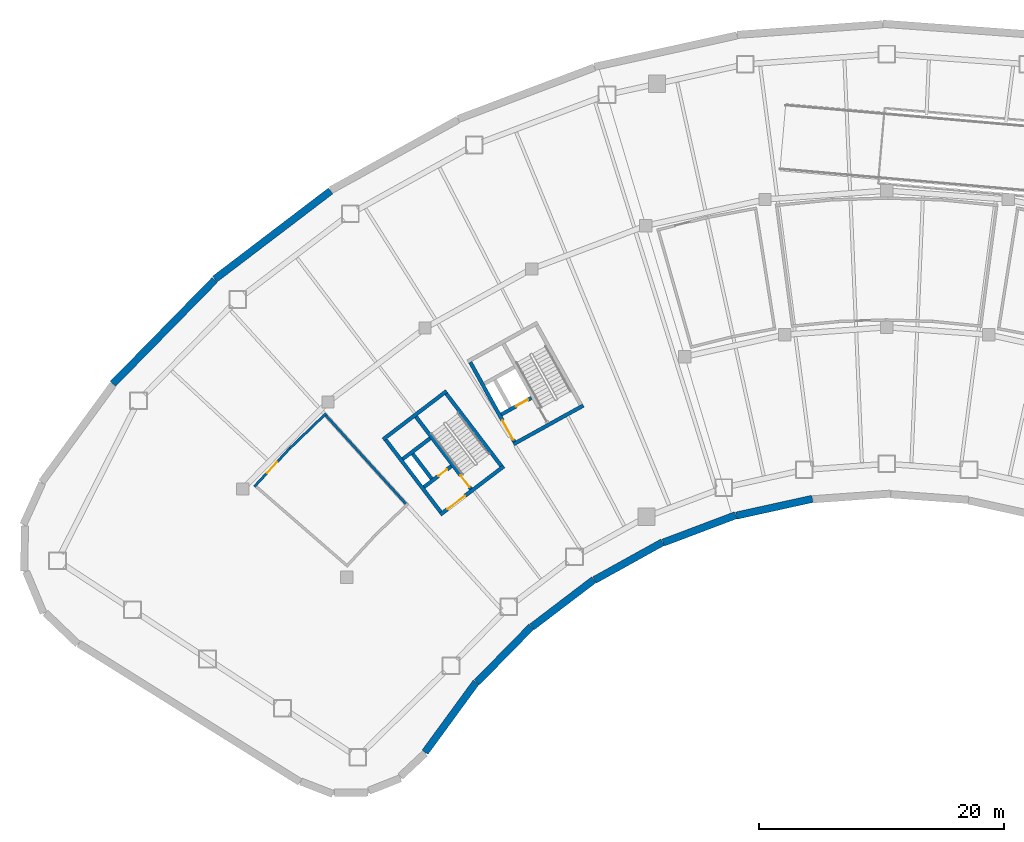
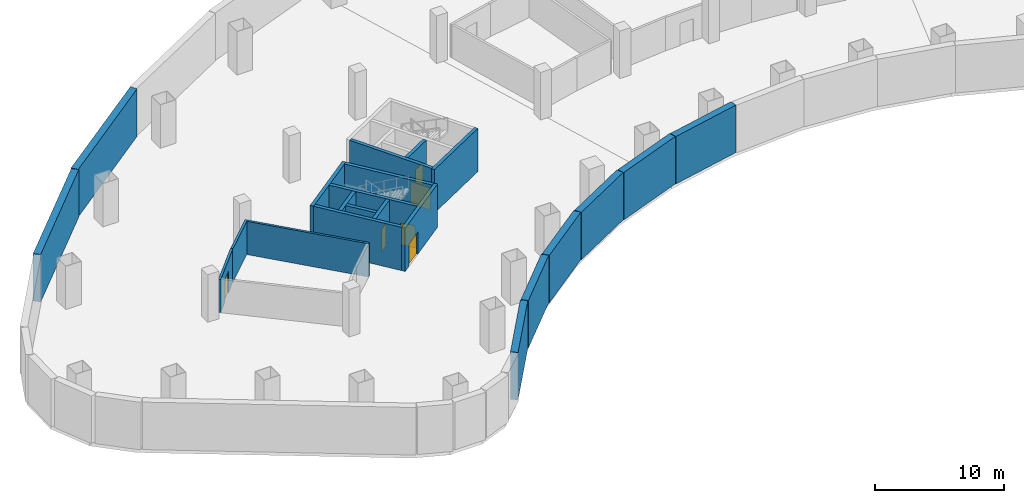
# One storey, part 4 of 11: 22 walls, 6 doors, 6 openings.
"""IFC4 building model written with IfcOpenShell, lengths in metres."""

import ifcopenshell
import ifcopenshell.guid

model = None  # the IFC model being written
_history = None  # IfcOwnerHistory: only IFC2X3 demands one
_inside = {}  # id of a spatial element -> (the spatial element, [elements in it])
_under = {}  # id of a project, library or spatial element -> (it, [spatial elements below it])
_declared = {}  # id of a project -> (the project, [libraries it declares])
_typed = {}  # id of a type object -> (the type object, [elements of that type])
_made_of = {}  # id of a material, layer set ... -> (it, [elements and type objects made of it])


def new_model(schema):
    """Start an empty IFC model of exactly this schema.

    Asked for "IFC4X3", IfcOpenShell would pick the latest addendum, in which some entities
    have other attributes; the version numbers below select the first issue.
    IFC2X3 requires an IfcOwnerHistory on every rooted entity: one is made here for all.
    """
    global model, _history
    if schema == "IFC4X3":
        model = ifcopenshell.file(schema_version=(4, 3, 0, 0))
    else:
        model = ifcopenshell.file(schema=schema)
    _inside.clear()
    _under.clear()
    _declared.clear()
    _typed.clear()
    _made_of.clear()
    _history = None
    if model.schema == "IFC2X3":
        org = make("IfcOrganization", Name="unknown")
        user = make(
            "IfcPersonAndOrganization",
            ThePerson=make("IfcPerson", FamilyName="unknown"),
            TheOrganization=org,
        )
        app = make(
            "IfcApplication",
            ApplicationDeveloper=org,
            Version="unknown",
            ApplicationFullName="unknown",
            ApplicationIdentifier="unknown",
        )
        _history = make(
            "IfcOwnerHistory",
            OwningUser=user,
            OwningApplication=app,
            ChangeAction="ADDED",
            CreationDate=0,
        )
    return model


def make(cls, **values):
    """One entity of the class cls with the attributes given. An attribute that is None is left unset."""
    return model.create_entity(
        cls, **{name: value for name, value in values.items() if value is not None}
    )


def rooted(cls, **values):
    """An entity with a GlobalId (a new one), such as an element, a storey or a relation."""
    return make(cls, GlobalId=ifcopenshell.guid.new(), OwnerHistory=_history, **values)


def si_unit(unit_type, name, prefix=None):
    """IfcSIUnit, for example si_unit("LENGTHUNIT", "METRE", prefix="MILLI")."""
    return make("IfcSIUnit", UnitType=unit_type, Prefix=prefix, Name=name)


def assignment(units):
    """IfcUnitAssignment: the units of a project."""
    return None if units is None else make("IfcUnitAssignment", Units=units)


def point(xyz):
    """IfcCartesianPoint."""
    return None if xyz is None else make("IfcCartesianPoint", Coordinates=xyz)


def direction(xyz):
    """IfcDirection."""
    return None if xyz is None else make("IfcDirection", DirectionRatios=xyz)


def frame(location, z_axis=None, x_axis=None):
    """IfcAxis2Placement3D, a coordinate frame: its origin and axes. An axis left out is left unset."""
    return make(
        "IfcAxis2Placement3D",
        Location=point(location),
        Axis=direction(z_axis),
        RefDirection=direction(x_axis),
    )


def frame_2d(location, x_axis=None):
    """IfcAxis2Placement2D, a coordinate frame in the plane: its origin and x axis."""
    return make(
        "IfcAxis2Placement2D", Location=point(location), RefDirection=direction(x_axis)
    )


def origin():
    """The frame at (0, 0, 0) with its axes left unset."""
    return frame((0.0, 0.0, 0.0))


def place(relative_to, where):
    """IfcLocalPlacement: puts the frame where relative to a parent placement (None: the world)."""
    return make(
        "IfcLocalPlacement", PlacementRelTo=relative_to, RelativePlacement=where
    )


def context(
    kind, dimensions, precision=None, world=None, true_north=None, identifier=None
):
    """IfcGeometricRepresentationContext, for example the 3D "Model" context."""
    return make(
        "IfcGeometricRepresentationContext",
        ContextIdentifier=identifier,
        ContextType=kind,
        CoordinateSpaceDimension=dimensions,
        Precision=precision,
        WorldCoordinateSystem=world,
        TrueNorth=true_north,
    )


def subcontext(parent, identifier, kind, view, scale=None):
    """IfcGeometricRepresentationSubContext, for example "Body" below "Model"."""
    return make(
        "IfcGeometricRepresentationSubContext",
        ContextIdentifier=identifier,
        ContextType=kind,
        ParentContext=parent,
        TargetScale=scale,
        TargetView=view,
    )


def project(units=None, contexts=None):
    """IfcProject with its units and contexts."""
    return rooted(
        "IfcProject",
        Name="project",
        RepresentationContexts=contexts,
        UnitsInContext=assignment(units),
    )


def spatial(cls, under=None, at=None, **own):
    """A site, building, storey or space (cls), placed at a placement, below another one or the project."""
    s = rooted(cls, ObjectPlacement=at, **own)
    if under is not None:
        _under.setdefault(under.id(), (under, []))[1].append(s)
    return s


def profile(cls, at=None, kind="AREA", **sizes):
    """A parametric profile (cls). Its sizes go by their IFC names, for example OverallWidth=200.0."""
    return make(cls, ProfileType=kind, Position=at, **sizes)


def rectangle(**sizes):
    """IfcRectangleProfileDef."""
    return profile("IfcRectangleProfileDef", **sizes)


def extrude(swept, where, along, depth):
    """IfcExtrudedAreaSolid: the profile swept, set in the frame where, extruded along a direction by depth."""
    return make(
        "IfcExtrudedAreaSolid",
        SweptArea=swept,
        Position=where,
        ExtrudedDirection=direction(along),
        Depth=depth,
    )


def shape(context_of_items, identifier, shape_type, items):
    """IfcShapeRepresentation: the items that make up one representation, for example the "Body"."""
    return make(
        "IfcShapeRepresentation",
        ContextOfItems=context_of_items,
        RepresentationIdentifier=identifier,
        RepresentationType=shape_type,
        Items=items,
    )


def material(Name=None, Category=None):
    """IfcMaterial."""
    return make("IfcMaterial", Name=Name, Category=Category)


def layer(
    of_material, thickness, ventilated=None, Name=None, Category=None, Priority=None
):
    """IfcMaterialLayer: one layer of a wall or slab, of a material (None: an air gap)."""
    return make(
        "IfcMaterialLayer",
        Material=of_material,
        LayerThickness=thickness,
        IsVentilated=ventilated,
        Name=Name,
        Category=Category,
        Priority=Priority,
    )


def layer_set(layers, Name=None):
    """IfcMaterialLayerSet."""
    return make("IfcMaterialLayerSet", MaterialLayers=layers, LayerSetName=Name)


def made_of(thing, what):
    """Note that an element or type object is made of a material, layer set ...; save() writes the relation."""
    if what is not None:
        _made_of.setdefault(what.id(), (what, []))[1].append(thing)
    return thing


def type_object(cls, material=None, **own):
    """A type object (cls), such as IfcWallType, which elements share."""
    return made_of(rooted(cls, **own), material)


def element(
    cls,
    number,
    at=None,
    inside=None,
    cuts=None,
    type_object=None,
    material=None,
    context=None,
    identifier="Body",
    shape_type=None,
    held_by="IfcProductDefinitionShape",
    body=None,
    shapes=None,
    **own,
):
    """One element of the class cls, such as IfcWall. Its Tag is "e" and its number.

    at: its placement. inside: the storey or other place that contains it. cuts: it is an
    opening in that element (IfcRelVoidsElement). A single representation is given by context,
    identifier, shape_type and body (its items); several are given by shapes. held_by: the class
    of the entity that holds the representations. save() writes the other relations.
    """
    e = rooted(cls, Tag="e%d" % number, ObjectPlacement=at, **own)
    if body is not None:
        shapes = [shape(context, identifier, shape_type, body)]
    if shapes is not None:
        e.Representation = make(held_by, Representations=shapes)
    if inside is not None:
        _inside.setdefault(inside.id(), (inside, []))[1].append(e)
    if cuts is not None:
        rooted(
            "IfcRelVoidsElement", RelatingBuildingElement=cuts, RelatedOpeningElement=e
        )
    if type_object is not None:
        _typed.setdefault(type_object.id(), (type_object, []))[1].append(e)
    return made_of(e, material)


def fill(opening, filler):
    """IfcRelFillsElement: the door or window that sits in an opening."""
    return rooted(
        "IfcRelFillsElement",
        RelatingOpeningElement=opening,
        RelatedBuildingElement=filler,
    )


def aggregate(whole, parts):
    """IfcRelAggregates: a whole, such as a stair, and the parts it consists of."""
    return rooted("IfcRelAggregates", RelatingObject=whole, RelatedObjects=parts)


def save(model, path):
    """Write the relations noted so far, then the file.

    IfcRelAggregates (storeys below a building ...), IfcRelContainedInSpatialStructure (elements
    in a storey), IfcRelDefinesByType, IfcRelAssociatesMaterial and IfcRelDeclares: one each for
    every whole, place, type object, material and project.
    """
    for whole, parts in _under.values():
        aggregate(whole, parts)
    for where, things in _inside.values():
        rooted(
            "IfcRelContainedInSpatialStructure",
            RelatedElements=things,
            RelatingStructure=where,
        )
    for kind, things in _typed.values():
        rooted("IfcRelDefinesByType", RelatedObjects=things, RelatingType=kind)
    for what, things in _made_of.values():
        rooted("IfcRelAssociatesMaterial", RelatedObjects=things, RelatingMaterial=what)
    for by, libraries in _declared.values():
        rooted("IfcRelDeclares", RelatingContext=by, RelatedDefinitions=libraries)
    model.write(path)


model = new_model("IFC4")

# Units and contexts
model_context = context("Model", 3, precision=1e-05, world=origin(), true_north=direction((0.0, 1.0)))
body_context = subcontext(model_context, "Body", "Model", "MODEL_VIEW")
ifc_project = project(units=[si_unit("LENGTHUNIT", "METRE"), si_unit("AREAUNIT", "SQUARE_METRE"), si_unit("VOLUMEUNIT", "CUBIC_METRE"), si_unit("PLANEANGLEUNIT", "RADIAN"), si_unit("MASSUNIT", "GRAM", prefix="KILO")], contexts=[model_context])

# Site, building, storey
site_placement = place(None, origin())
site = spatial("IfcSite", under=ifc_project, at=site_placement, CompositionType="ELEMENT")
building_placement = place(site_placement, origin())
building = spatial("IfcBuilding", under=site, at=building_placement, Name="Tuul Gate Civic Tower", CompositionType="ELEMENT")
storey_placement = place(building_placement, frame((0.0, 0.0, -4.5)))
storey = spatial("IfcBuildingStorey", under=building, at=storey_placement, Name="Basement 1", CompositionType="ELEMENT", Elevation=-4.5)

# Wall, opening, door
ifc_material_1 = material(Name="Concrete block", Category="concrete")
ifc_layer_1 = layer(ifc_material_1, 0.199951171875)
ifc_layer_set_1 = layer_set([ifc_layer_1], Name="Concrete block")
wall_type_1 = type_object("IfcWallType", Name="Basement room wall EI 120", PredefinedType="PARTITIONING", material=ifc_layer_set_1)
wall_1_placement = place(storey_placement, frame((-51.51953125, -15.330322265625, 0.0), z_axis=(0.0, 0.0, 1.0), x_axis=(0.678425052113, 0.734669618717, 0.0)))
wall_1 = element("IfcWall", 1, at=wall_1_placement, inside=storey, type_object=wall_type_1, Name="Room wall", PredefinedType="PARTITIONING", context=body_context, shape_type="SweptSolid", body=[
    extrude(rectangle(XDim=4.266845703125, YDim=0.199951171875, at=frame_2d((2.13330078125, 0.0))), origin(), (0.0, 0.0, 1.0), 3.14990234375),
])
opening_1_placement = place(wall_1_placement, frame((1.533447265625, 0.0, 0.0)))
opening_1 = element("IfcOpeningElement", 2, at=opening_1_placement, cuts=wall_1, Name="Opening PD", PredefinedType="OPENING", context=body_context, shape_type="SweptSolid", body=[
    extrude(rectangle(XDim=1.199951171875, YDim=2.10009765625, at=frame_2d((0.60009765625, 1.050048828125))), frame((0.0, 0.10986328125, 0.0), z_axis=(0.0, -1.0, 0.0), x_axis=(1.0, 0.0, 0.0)), (0.0, 0.0, 1.0), 0.219970703125),
])
ifc_material_2 = material(Name="Steel door", Category="steel")
door_type_1 = type_object("IfcDoorType", Name="Plant room door", OperationType="DOUBLE_DOOR_SINGLE_SWING", PredefinedType="DOOR", material=ifc_material_2)
door_1_placement = place(opening_1_placement, origin())
door_1 = element("IfcDoor", 3, at=door_1_placement, inside=storey, type_object=door_type_1, Name="Door", OperationType="DOUBLE_DOOR_SINGLE_SWING", OverallHeight=2.10009765625, OverallWidth=1.199951171875, PredefinedType="DOOR", context=body_context, shape_type="SweptSolid", body=[
    extrude(rectangle(XDim=1.199951171875, YDim=2.10009765625, at=frame_2d((0.60009765625, 1.050048828125))), frame((0.0, 0.02490234375, 0.0), z_axis=(0.0, -1.0, 0.0), x_axis=(1.0, 0.0, 0.0)), (0.0, 0.0, 1.0), 0.050048828125),
])
fill(opening_1, door_1)

# Walls
wall_2_placement = place(storey_placement, frame((-48.7646484375, -12.33837890625, 0.0), z_axis=(0.0, 0.0, 1.0), x_axis=(0.720986985757, 0.692948602978, 0.0)))
element("IfcWall", 4, at=wall_2_placement, inside=storey, type_object=wall_type_1, Name="Room wall", PredefinedType="PARTITIONING", context=body_context, shape_type="SweptSolid", body=[
    extrude(rectangle(XDim=4.2666015625, YDim=0.199951171875, at=frame_2d((2.13330078125, 0.0))), origin(), (0.0, 0.0, 1.0), 3.14990234375),
])
wall_3_placement = place(storey_placement, frame((-45.82763671875, -9.376953125, 0.0), z_axis=(0.0, 0.0, 1.0), x_axis=(0.671128511125, -0.741341029186, 0.0)))
element("IfcWall", 5, at=wall_3_placement, inside=storey, type_object=wall_type_1, Name="Room wall", PredefinedType="PARTITIONING", context=body_context, shape_type="SweptSolid", body=[
    extrude(rectangle(XDim=10.12890625, YDim=0.199951171875, at=frame_2d((5.064453125, 0.0))), origin(), (0.0, 0.0, 1.0), 3.14990234375),
])

# Wall, opening, door
ifc_material_3 = material(Name="Concrete C50/60", Category="concrete")
ifc_layer_2 = layer(ifc_material_3, 0.300048828125)
ifc_layer_set_2 = layer_set([ifc_layer_2], Name="Concrete C50/60")
wall_type_2 = type_object("IfcWallType", Name="Core wall C50/60", PredefinedType="SHEAR", material=ifc_layer_set_2)
wall_4_placement = place(storey_placement, frame((-31.19091796875, -13.669677734375, 0.0), z_axis=(0.0, 0.0, 1.0), x_axis=(-0.795606717756, -0.605813461934, 0.0)))
wall_4 = element("IfcWall", 6, at=wall_4_placement, inside=storey, type_object=wall_type_2, Name="Core wall", PredefinedType="SHEAR", context=body_context, shape_type="SweptSolid", body=[
    extrude(rectangle(XDim=6.5, YDim=0.300048828125, at=frame_2d((3.25, 0.0))), origin(), (0.0, 0.0, 1.0), 4.10009765625),
])
opening_2_placement = place(wall_4_placement, frame((3.97509765625, 0.0, 0.0)))
opening_2 = element("IfcOpeningElement", 7, at=opening_2_placement, cuts=wall_4, Name="Opening LB-W1-LOBBY-1", PredefinedType="OPENING", context=body_context, shape_type="SweptSolid", body=[
    extrude(rectangle(XDim=1.800048828125, YDim=2.10009765625, at=frame_2d((0.89990234375, 1.050048828125))), frame((0.0, 0.16015625, 0.0), z_axis=(0.0, -1.0, 0.0), x_axis=(1.0, 0.0, 0.0)), (0.0, 0.0, 1.0), 0.320068359375),
])
ifc_material_4 = material(Name="Steel", Category="steel")
door_type_2 = type_object("IfcDoorType", Name="Lobby door", OperationType="DOUBLE_DOOR_SINGLE_SWING", PredefinedType="DOOR", material=ifc_material_4)
door_2_placement = place(opening_2_placement, origin())
door_2 = element("IfcDoor", 8, at=door_2_placement, inside=storey, type_object=door_type_2, Name="Lobby door W1-LOBBY", OperationType="DOUBLE_DOOR_SINGLE_SWING", OverallHeight=2.10009765625, OverallWidth=1.800048828125, PredefinedType="DOOR", context=body_context, shape_type="SweptSolid", body=[
    extrude(rectangle(XDim=1.800048828125, YDim=2.10009765625, at=frame_2d((0.89990234375, 1.050048828125))), frame((0.0, 0.02490234375, 0.0), z_axis=(0.0, -1.0, 0.0), x_axis=(1.0, 0.0, 0.0)), (0.0, 0.0, 1.0), 0.050048828125),
])
fill(opening_2, door_2)

wall_5_placement = place(storey_placement, frame((-35.470947265625, -13.66064453125, 0.0), z_axis=(0.0, 0.0, 1.0), x_axis=(-0.795615822227, -0.605801504968, 0.0)))
wall_5 = element("IfcWall", 9, at=wall_5_placement, inside=storey, type_object=wall_type_2, Name="Core wall", PredefinedType="SHEAR", context=body_context, shape_type="SweptSolid", body=[
    extrude(rectangle(XDim=2.800048828125, YDim=0.300048828125, at=frame_2d((1.39990234375, 0.0))), origin(), (0.0, 0.0, 1.0), 4.10009765625),
])
opening_3_placement = place(wall_5_placement, frame((0.425048828125, 0.0, 0.0)))
opening_3 = element("IfcOpeningElement", 10, at=opening_3_placement, cuts=wall_5, Name="Opening FB-W1A1", PredefinedType="OPENING", context=body_context, shape_type="SweptSolid", body=[
    extrude(rectangle(XDim=0.89990234375, YDim=2.10009765625, at=frame_2d((0.449951171875, 1.050048828125))), frame((0.0, 0.16015625, 0.0), z_axis=(0.0, -1.0, 0.0), x_axis=(1.0, 0.0, 0.0)), (0.0, 0.0, 1.0), 0.320068359375),
])
ifc_material_5 = material(Name="Steel", Category="steel")
door_type_3 = type_object("IfcDoorType", Name="Store door", OperationType="NOTDEFINED", PredefinedType="DOOR", material=ifc_material_5)
door_3_placement = place(opening_3_placement, frame((0.89990234375, 0.0, 0.0), z_axis=(0.0, 0.0, 1.0), x_axis=(-1.0, 0.0, 0.0)))
door_3 = element("IfcDoor", 11, at=door_3_placement, inside=storey, type_object=door_type_3, Name="Store door W1A1", OperationType="SINGLE_SWING_RIGHT", OverallHeight=2.10009765625, OverallWidth=0.89990234375, PredefinedType="DOOR", context=body_context, shape_type="SweptSolid", body=[
    extrude(rectangle(XDim=0.89990234375, YDim=2.10009765625, at=frame_2d((0.449951171875, 1.050048828125))), frame((0.0, 0.02490234375, 0.0), z_axis=(0.0, -1.0, 0.0), x_axis=(1.0, 0.0, 0.0)), (0.0, 0.0, 1.0), 0.050048828125),
])
fill(opening_3, door_3)

# Walls
wall_6_placement = place(storey_placement, frame((-37.197509765625, -11.39306640625, 0.0), z_axis=(0.0, 0.0, 1.0), x_axis=(-0.795583820278, -0.605843531707, 0.0)))
element("IfcWall", 12, at=wall_6_placement, inside=storey, type_object=wall_type_2, Name="Core wall", PredefinedType="SHEAR", context=body_context, shape_type="SweptSolid", body=[
    extrude(rectangle(XDim=2.7998046875, YDim=0.300048828125, at=frame_2d((1.39990234375, 0.0))), origin(), (0.0, 0.0, 1.0), 4.10009765625),
])
wall_7_placement = place(storey_placement, frame((-35.855224609375, -7.543212890625, 0.0), z_axis=(0.0, 0.0, 1.0), x_axis=(-0.79563860527, -0.605771582202, 0.0)))
element("IfcWall", 13, at=wall_7_placement, inside=storey, type_object=wall_type_2, Name="Core wall", PredefinedType="SHEAR", context=body_context, shape_type="SweptSolid", body=[
    extrude(rectangle(XDim=6.5, YDim=0.300048828125, at=frame_2d((3.25, 0.0))), origin(), (0.0, 0.0, 1.0), 4.10009765625),
])
wall_8_placement = place(storey_placement, frame((-31.401123046875, -13.64111328125, 0.0), z_axis=(0.0, 0.0, 1.0), x_axis=(-0.605769822278, 0.795639945213, 0.0)))
element("IfcWall", 14, at=wall_8_placement, inside=storey, type_object=wall_type_2, Name="Core wall", PredefinedType="SHEAR", context=body_context, shape_type="SweptSolid", body=[
    extrude(rectangle(XDim=7.39990234375, YDim=0.300048828125, at=frame_2d((3.699951171875, 0.0))), origin(), (0.0, 0.0, 1.0), 4.10009765625),
])

# Wall, opening, door
wall_9_placement = place(storey_placement, frame((-33.867431640625, -15.51904296875, 0.0), z_axis=(0.0, 0.0, 1.0), x_axis=(-0.605769822278, 0.795639945213, 0.0)))
wall_9 = element("IfcWall", 15, at=wall_9_placement, inside=storey, type_object=wall_type_2, Name="Core wall", PredefinedType="SHEAR", context=body_context, shape_type="SweptSolid", body=[
    extrude(rectangle(XDim=7.39990234375, YDim=0.300048828125, at=frame_2d((3.699951171875, 0.0))), origin(), (0.0, 0.0, 1.0), 4.10009765625),
])
opening_4_placement = place(wall_9_placement, frame((0.199951171875, 0.0, 0.0)))
opening_4 = element("IfcOpeningElement", 16, at=opening_4_placement, cuts=wall_9, Name="Opening SD-ST-1", PredefinedType="OPENING", context=body_context, shape_type="SweptSolid", body=[
    extrude(rectangle(XDim=1.199951171875, YDim=2.10009765625, at=frame_2d((0.60009765625, 1.050048828125))), frame((0.0, 0.16015625, 0.0), z_axis=(0.0, -1.0, 0.0), x_axis=(1.0, 0.0, 0.0)), (0.0, 0.0, 1.0), 0.320068359375),
])
ifc_material_6 = material(Name="Steel", Category="steel")
door_type_4 = type_object("IfcDoorType", Name="Stair door", OperationType="NOTDEFINED", PredefinedType="DOOR", material=ifc_material_6)
door_4_placement = place(opening_4_placement, origin())
door_4 = element("IfcDoor", 17, at=door_4_placement, inside=storey, type_object=door_type_4, Name="Stair door ST-1", OperationType="SINGLE_SWING_LEFT", OverallHeight=2.10009765625, OverallWidth=1.199951171875, PredefinedType="DOOR", context=body_context, shape_type="SweptSolid", body=[
    extrude(rectangle(XDim=1.199951171875, YDim=2.10009765625, at=frame_2d((0.60009765625, 1.050048828125))), frame((0.0, 0.02490234375, 0.0), z_axis=(0.0, -1.0, 0.0), x_axis=(1.0, 0.0, 0.0)), (0.0, 0.0, 1.0), 0.050048828125),
])
fill(opening_4, door_4)

# Walls
wall_10_placement = place(storey_placement, frame((-37.073486328125, -14.6923828125, 0.0), z_axis=(0.0, 0.0, 1.0), x_axis=(-0.605728760074, 0.79567120673, 0.0)))
element("IfcWall", 18, at=wall_10_placement, inside=storey, type_object=wall_type_2, Name="Core wall", PredefinedType="SHEAR", context=body_context, shape_type="SweptSolid", body=[
    extrude(rectangle(XDim=2.550048828125, YDim=0.300048828125, at=frame_2d((1.27490234375, 0.0))), origin(), (0.0, 0.0, 1.0), 4.10009765625),
])
wall_11_placement = place(storey_placement, frame((-36.333984375, -17.397216796875, 0.0), z_axis=(0.0, 0.0, 1.0), x_axis=(-0.605753921168, 0.795652051458, 0.0)))
element("IfcWall", 19, at=wall_11_placement, inside=storey, type_object=wall_type_2, Name="Core wall", PredefinedType="SHEAR", context=body_context, shape_type="SweptSolid", body=[
    extrude(rectangle(XDim=7.400146484375, YDim=0.300048828125, at=frame_2d((3.7001953125, 0.0))), origin(), (0.0, 0.0, 1.0), 4.10009765625),
])
wall_12_placement = place(storey_placement, frame((-24.711669921875, -8.7158203125, 0.0), z_axis=(0.0, 0.0, 1.0), x_axis=(-0.874629909008, -0.484791215132, 0.0)))
element("IfcWall", 20, at=wall_12_placement, inside=storey, type_object=wall_type_2, Name="Core wall", PredefinedType="SHEAR", context=body_context, shape_type="SweptSolid", body=[
    extrude(rectangle(XDim=6.5, YDim=0.300048828125, at=frame_2d((3.25, 0.0))), origin(), (0.0, 0.0, 1.0), 4.10009765625),
])

# Wall, opening, door
wall_13_placement = place(storey_placement, frame((-28.94580078125, -8.090087890625, 0.0), z_axis=(0.0, 0.0, 1.0), x_axis=(-0.874629840737, -0.484791338301, 0.0)))
wall_13 = element("IfcWall", 21, at=wall_13_placement, inside=storey, type_object=wall_type_2, Name="Core wall", PredefinedType="SHEAR", context=body_context, shape_type="SweptSolid", body=[
    extrude(rectangle(XDim=2.800048828125, YDim=0.300048828125, at=frame_2d((1.39990234375, 0.0))), origin(), (0.0, 0.0, 1.0), 4.10009765625),
])
opening_5_placement = place(wall_13_placement, frame((0.324951171875, 0.0, 0.0)))
opening_5 = element("IfcOpeningElement", 22, at=opening_5_placement, cuts=wall_13, Name="Opening LD-FF-1", PredefinedType="OPENING", context=body_context, shape_type="SweptSolid", body=[
    extrude(rectangle(XDim=1.10009765625, YDim=2.10009765625, at=frame_2d((0.550048828125, 1.050048828125))), frame((0.0, 0.16015625, 0.0), z_axis=(0.0, -1.0, 0.0), x_axis=(1.0, 0.0, 0.0)), (0.0, 0.0, 1.0), 0.320068359375),
])
ifc_material_7 = material(Name="Stainless steel", Category="steel")
door_type_5 = type_object("IfcDoorType", Name="Landing door", OperationType="DOUBLE_DOOR_SLIDING", PredefinedType="DOOR", material=ifc_material_7)
door_5_placement = place(opening_5_placement, origin())
door_5 = element("IfcDoor", 23, at=door_5_placement, inside=storey, type_object=door_type_5, Name="Fire-fighting lift FF-1 landing door", OperationType="DOUBLE_DOOR_SLIDING", OverallHeight=2.10009765625, OverallWidth=1.10009765625, PredefinedType="DOOR", context=body_context, shape_type="SweptSolid", body=[
    extrude(rectangle(XDim=1.10009765625, YDim=2.10009765625, at=frame_2d((0.550048828125, 1.050048828125))), frame((0.0, 0.02490234375, 0.0), z_axis=(0.0, -1.0, 0.0), x_axis=(1.0, 0.0, 0.0)), (0.0, 0.0, 1.0), 0.050048828125),
])
fill(opening_5, door_5)

wall_14_placement = place(storey_placement, frame((-30.33837890625, -11.6630859375, 0.0), z_axis=(0.0, 0.0, 1.0), x_axis=(-0.484751894226, 0.874651702704, 0.0)))
wall_14 = element("IfcWall", 24, at=wall_14_placement, inside=storey, type_object=wall_type_2, Name="Core wall", PredefinedType="SHEAR", context=body_context, shape_type="SweptSolid", body=[
    extrude(rectangle(XDim=7.39990234375, YDim=0.300048828125, at=frame_2d((3.699951171875, 0.0))), origin(), (0.0, 0.0, 1.0), 4.10009765625),
])
opening_6_placement = place(wall_14_placement, frame((0.175048828125, 0.0, 0.0)))
opening_6 = element("IfcOpeningElement", 25, at=opening_6_placement, cuts=wall_14, Name="Opening LB-W2-FLOBBY-1", PredefinedType="OPENING", context=body_context, shape_type="SweptSolid", body=[
    extrude(rectangle(XDim=1.800048828125, YDim=2.10009765625, at=frame_2d((0.89990234375, 1.050048828125))), frame((0.0, 0.16015625, 0.0), z_axis=(0.0, -1.0, 0.0), x_axis=(1.0, 0.0, 0.0)), (0.0, 0.0, 1.0), 0.320068359375),
])
door_6_placement = place(opening_6_placement, origin())
door_6 = element("IfcDoor", 26, at=door_6_placement, inside=storey, type_object=door_type_2, Name="Lobby door W2-FLOBBY", OperationType="DOUBLE_DOOR_SINGLE_SWING", OverallHeight=2.10009765625, OverallWidth=1.800048828125, PredefinedType="DOOR", context=body_context, shape_type="SweptSolid", body=[
    extrude(rectangle(XDim=1.800048828125, YDim=2.10009765625, at=frame_2d((0.89990234375, 1.050048828125))), frame((0.0, 0.02490234375, 0.0), z_axis=(0.0, -1.0, 0.0), x_axis=(1.0, 0.0, 0.0)), (0.0, 0.0, 1.0), 0.050048828125),
])
fill(opening_6, door_6)

# Walls
ifc_material_8 = material(Name="Concrete C40/50", Category="concrete")
ifc_layer_3 = layer(ifc_material_8, 0.60009765625)
ifc_layer_set_3 = layer_set([ifc_layer_3], Name="Concrete C40/50")
wall_type_3 = type_object("IfcWallType", Name="STR-BASEMENT-WALL-600", PredefinedType="SOLIDWALL", material=ifc_layer_set_3)
wall_15_placement = place(storey_placement, frame((-45.3056640625, 8.762939453125, 0.0), z_axis=(0.0, 0.0, 1.0), x_axis=(-0.795626369188, -0.605787653104, 0.0)))
element("IfcWall", 27, at=wall_15_placement, inside=storey, type_object=wall_type_3, Name="Retaining wall", PredefinedType="SOLIDWALL", context=body_context, shape_type="SweptSolid", body=[
    extrude(rectangle(XDim=11.85986328125, YDim=0.60009765625, at=frame_2d((5.929931640625, 0.0))), origin(), (0.0, 0.0, 1.0), 4.5),
])
wall_16_placement = place(storey_placement, frame((-54.7421875, 1.51611328125, 0.0), z_axis=(0.0, 0.0, 1.0), x_axis=(-0.700052476252, -0.714091402058, 0.0)))
element("IfcWall", 28, at=wall_16_placement, inside=storey, type_object=wall_type_3, Name="Retaining wall", PredefinedType="SOLIDWALL", context=body_context, shape_type="SweptSolid", body=[
    extrude(rectangle(XDim=11.860107421875, YDim=0.60009765625, at=frame_2d((5.93017578125, 0.0))), origin(), (0.0, 0.0, 1.0), 4.5),
])
wall_17_placement = place(storey_placement, frame((-37.609375, -36.96875, 0.0), z_axis=(0.0, 0.0, 1.0), x_axis=(0.589803496395, 0.807546800898, 0.0)))
element("IfcWall", 29, at=wall_17_placement, inside=storey, type_object=wall_type_3, Name="Retaining wall", PredefinedType="SOLIDWALL", context=body_context, shape_type="SweptSolid", body=[
    extrude(rectangle(XDim=7.067138671875, YDim=0.60009765625, at=frame_2d((3.53369140625, 0.0))), origin(), (0.0, 0.0, 1.0), 4.5),
])
wall_18_placement = place(storey_placement, frame((-33.37890625, -31.260009765625, 0.0), z_axis=(0.0, 0.0, 1.0), x_axis=(0.700008509705, 0.714134501575, 0.0)))
element("IfcWall", 30, at=wall_18_placement, inside=storey, type_object=wall_type_3, Name="Retaining wall", PredefinedType="SOLIDWALL", context=body_context, shape_type="SweptSolid", body=[
    extrude(rectangle(XDim=6.32568359375, YDim=0.60009765625, at=frame_2d((3.162841796875, 0.0))), origin(), (0.0, 0.0, 1.0), 4.5),
])
wall_19_placement = place(storey_placement, frame((-28.889404296875, -26.75, 0.0), z_axis=(0.0, 0.0, 1.0), x_axis=(0.795574327879, 0.605855996768, 0.0)))
element("IfcWall", 31, at=wall_19_placement, inside=storey, type_object=wall_type_3, Name="Retaining wall", PredefinedType="SOLIDWALL", context=body_context, shape_type="SweptSolid", body=[
    extrude(rectangle(XDim=6.326171875, YDim=0.60009765625, at=frame_2d((3.1630859375, 0.0))), origin(), (0.0, 0.0, 1.0), 4.5),
])
wall_20_placement = place(storey_placement, frame((-23.796142578125, -22.933349609375, 0.0), z_axis=(0.0, 0.0, 1.0), x_axis=(0.874642854218, 0.484767859461, 0.0)))
element("IfcWall", 32, at=wall_20_placement, inside=storey, type_object=wall_type_3, Name="Retaining wall", PredefinedType="SOLIDWALL", context=body_context, shape_type="SweptSolid", body=[
    extrude(rectangle(XDim=6.326416015625, YDim=0.60009765625, at=frame_2d((3.1630859375, 0.0))), origin(), (0.0, 0.0, 1.0), 4.5),
])
wall_21_placement = place(storey_placement, frame((-18.20556640625, -19.89111328125, 0.0), z_axis=(0.0, 0.0, 1.0), x_axis=(0.93537253931, 0.353663982764, 0.0)))
element("IfcWall", 33, at=wall_21_placement, inside=storey, type_object=wall_type_3, Name="Retaining wall", PredefinedType="SOLIDWALL", context=body_context, shape_type="SweptSolid", body=[
    extrude(rectangle(XDim=6.326171875, YDim=0.60009765625, at=frame_2d((3.1630859375, 0.0))), origin(), (0.0, 0.0, 1.0), 4.5),
])
wall_22_placement = place(storey_placement, frame((-12.2353515625, -17.6865234375, 0.0), z_axis=(0.0, 0.0, 1.0), x_axis=(0.976575086018, 0.215176907144, 0.0)))
element("IfcWall", 34, at=wall_22_placement, inside=storey, type_object=wall_type_3, Name="Retaining wall", PredefinedType="SOLIDWALL", context=body_context, shape_type="SweptSolid", body=[
    extrude(rectangle(XDim=6.325439453125, YDim=0.60009765625, at=frame_2d((3.16259765625, 0.0))), origin(), (0.0, 0.0, 1.0), 4.5),
])

save(model, "model.ifc")
